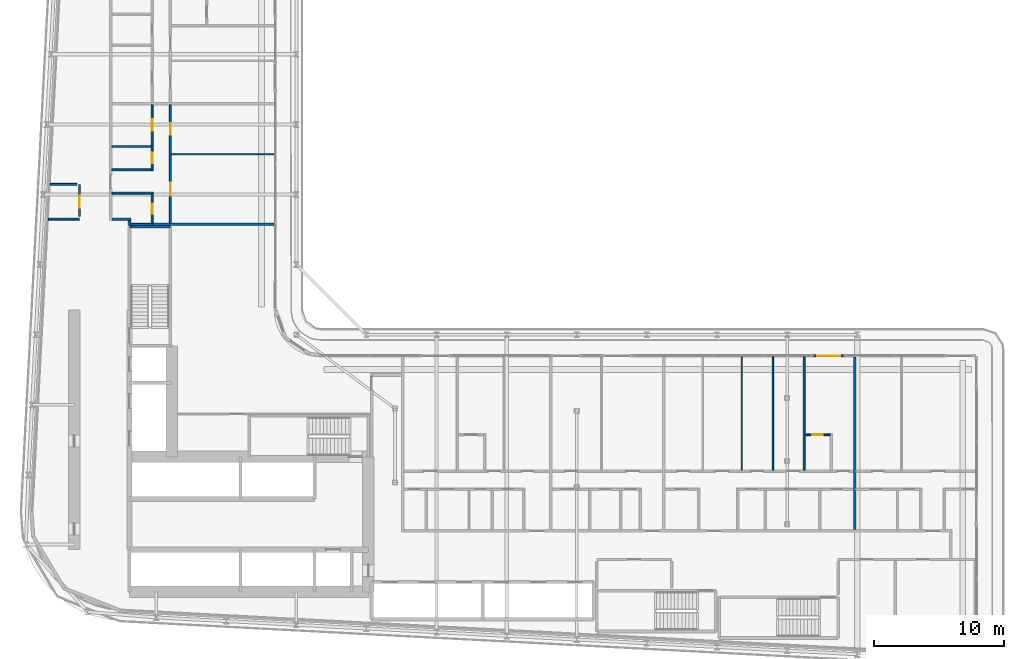
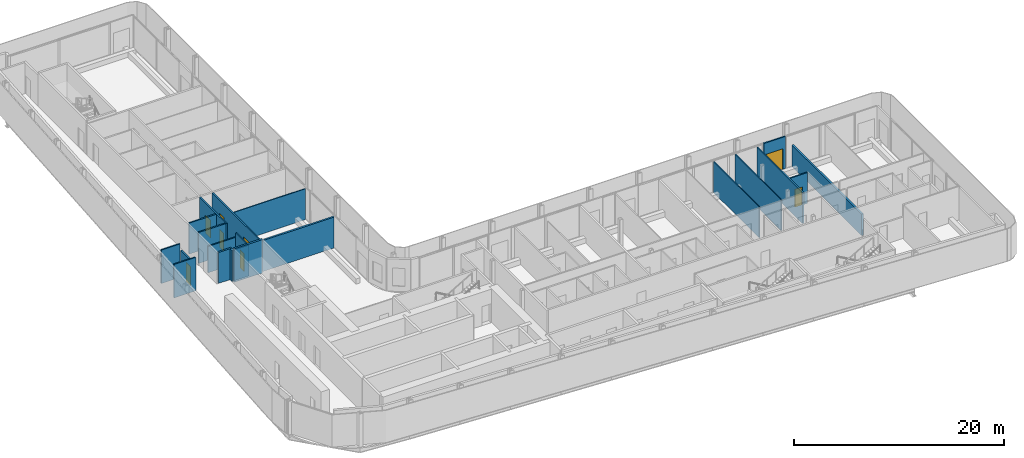
# One storey, part 15 of 25: 21 walls, 8 doors, 8 openings.
"""IFC4 building model written with IfcOpenShell, lengths in metres."""

from ifc_helpers import new_model, si_unit, direction, frame, frame_2d, origin, place, context, subcontext, project, spatial, rectangle, extrude, source, transform, mapped, material, layer, layer_set, type_object, element, fill, save


model = new_model("IFC4")

# Units and contexts
model_context = context("Model", 3, precision=1e-05, world=origin(), true_north=direction((0.0, 1.0)))
body_context = subcontext(model_context, "Body", "Model", "MODEL_VIEW")
ifc_project = project(units=[si_unit("LENGTHUNIT", "METRE"), si_unit("AREAUNIT", "SQUARE_METRE"), si_unit("VOLUMEUNIT", "CUBIC_METRE"), si_unit("PLANEANGLEUNIT", "RADIAN"), si_unit("MASSUNIT", "GRAM", prefix="KILO")], contexts=[model_context])

# Site, building, storey
site_placement = place(None, origin())
site = spatial("IfcSite", under=ifc_project, at=site_placement, CompositionType="ELEMENT")
building_placement = place(site_placement, origin())
building = spatial("IfcBuilding", under=site, at=building_placement, Name="Kheshtan School and Residences Tower", CompositionType="ELEMENT")
storey_placement = place(building_placement, frame((0.0, 0.0, 113.60009765625)))
storey = spatial("IfcBuildingStorey", under=building, at=storey_placement, Name="L26", CompositionType="ELEMENT", Elevation=113.60009765625)

# Walls
ifc_material_1 = material(Name="Gypsum board on steel studs with fire boards", Category="steel")
ifc_layer_1 = layer(ifc_material_1, 0.199951171875)
ifc_layer_set_1 = layer_set([ifc_layer_1], Name="Corridor wall 200")
wall_type_1 = type_object("IfcWallType", Name="Corridor wall 200", PredefinedType="PARTITIONING", material=ifc_layer_set_1)
wall_1_placement = place(storey_placement, frame((33.39990234375, 54.5, 0.0), z_axis=(0.0, 0.0, 1.0), x_axis=(1.0, 0.0, 0.0)))
element("IfcWall", 1, at=wall_1_placement, inside=storey, type_object=wall_type_1, Name="Partition L26-005", PredefinedType="PARTITIONING", context=body_context, shape_type="SweptSolid", body=[
    extrude(rectangle(XDim=1.4501953125, YDim=0.199951171875, at=frame_2d((0.72509765625, 0.0))), origin(), (0.0, 0.0, 1.0), 3.599853515625),
])
wall_2_placement = place(storey_placement, frame((34.75, 54.02490234375, 0.0), z_axis=(0.0, 0.0, 1.0), x_axis=(0.0, 1.0, 0.0)))
element("IfcWall", 2, at=wall_2_placement, inside=storey, type_object=wall_type_1, Name="Partition L26-014", PredefinedType="PARTITIONING", context=body_context, shape_type="SweptSolid", body=[
    extrude(rectangle(XDim=0.375, YDim=0.199951171875, at=frame_2d((0.1875, 0.0))), origin(), (0.0, 0.0, 1.0), 3.599853515625),
])

# Wall, opening, door
ifc_material_2 = material(Name="Aluminium frame wall with insulated infill", Category="aluminium")
ifc_layer_2 = layer(ifc_material_2, 0.14990234375)
ifc_layer_set_2 = layer_set([ifc_layer_2], Name="Glazing frame wall 150")
wall_type_2 = type_object("IfcWallType", Name="Glazing frame wall 150", PredefinedType="SOLIDWALL", material=ifc_layer_set_2)
wall_3_placement = place(storey_placement, frame((87.406005859375, 43.97509765625, 0.0), z_axis=(0.0, 0.0, 1.0), x_axis=(1.0, 0.0, 0.0)))
wall_3 = element("IfcWall", 3, at=wall_3_placement, inside=storey, type_object=wall_type_2, Name="Balcony door wall L26 8.4", PredefinedType="SOLIDWALL", context=body_context, shape_type="SweptSolid", body=[
    extrude(rectangle(XDim=2.39990234375, YDim=0.14990234375, at=frame_2d((1.199951171875, 0.0))), origin(), (0.0, 0.0, 1.0), 3.75),
])
opening_1_placement = place(wall_3_placement, frame((0.300048828125, 0.0, 0.0)))
opening_1 = element("IfcOpeningElement", 4, at=opening_1_placement, cuts=wall_3, Name="Opening BD", PredefinedType="OPENING", context=body_context, shape_type="SweptSolid", body=[
    extrude(rectangle(XDim=1.800048828125, YDim=2.39990234375, at=frame_2d((0.89990234375, 1.199951171875))), frame((0.0, 0.0849609375, 0.0), z_axis=(0.0, -1.0, 0.0), x_axis=(1.0, 0.0, 0.0)), (0.0, 0.0, 1.0), 0.169921875),
])
ifc_material_3 = material(Name="Clear low-e glass in thermally broken aluminium frame", Category="aluminium")
door_type_1 = type_object("IfcDoorType", Name="Balcony sliding door", OperationType="SLIDING_TO_LEFT", PredefinedType="DOOR", material=ifc_material_3)
shared_shape_1 = source(origin(), body_context, "Body", "SweptSolid", [
    extrude(rectangle(XDim=1.800048828125, YDim=2.39990234375, at=frame_2d((0.89990234375, 1.199951171875))), frame((0.0, 0.02490234375, 0.0), z_axis=(0.0, -1.0, 0.0), x_axis=(1.0, 0.0, 0.0)), (0.0, 0.0, 1.0), 0.050048828125),
])
door_1_placement = place(opening_1_placement, origin())
door_1 = element("IfcDoor", 5, at=door_1_placement, inside=storey, type_object=door_type_1, Name="Balcony door L26 8.4", OperationType="SLIDING_TO_LEFT", OverallHeight=2.39990234375, OverallWidth=1.800048828125, PredefinedType="DOOR", context=body_context, shape_type="MappedRepresentation", body=[
    mapped(shared_shape_1, transform((0.0, 0.0, 0.0), x_axis=(1.0, 0.0, 0.0), y_axis=(0.0, 1.0, 0.0), z_axis=(0.0, 0.0, 1.0), scale=1.0)),
])
fill(opening_1, door_1)

# Walls
ifc_material_4 = material(Name="Gypsum board on steel studs", Category="steel")
ifc_layer_3 = layer(ifc_material_4, 0.10009765625)
ifc_layer_set_3 = layer_set([ifc_layer_3], Name="Gypsum partition 100")
wall_type_3 = type_object("IfcWallType", Name="Gypsum partition 100", PredefinedType="PARTITIONING", material=ifc_layer_set_3)
wall_4_placement = place(storey_placement, frame((37.97509765625, 59.5, 0.0), z_axis=(0.0, 0.0, 1.0), x_axis=(1.0, 0.0, 0.0)))
element("IfcWall", 6, at=wall_4_placement, inside=storey, type_object=wall_type_3, Name="Partition L26-022", PredefinedType="PARTITIONING", context=body_context, shape_type="SweptSolid", body=[
    extrude(rectangle(XDim=7.9248046875, YDim=0.10009765625, at=frame_2d((3.96240234375, 0.0))), origin(), (0.0, 0.0, 1.0), 3.599853515625),
])
for number, where, z_axis, x_axis, name in (
    (7, (81.89990234375, 35.175048828125, 0.0), (0.0, 0.0, 1.0), (0.0, 1.0, 0.0), "Partition L26-058"),
    (8, (84.300048828125, 35.175048828125, 0.0), (0.0, 0.0, 1.0), (0.0, 1.0, 0.0), "Partition L26-060"),
):
    element("IfcWall", number, at=place(storey_placement, frame(where, z_axis=z_axis, x_axis=x_axis)), inside=storey, type_object=wall_type_3, Name=name, PredefinedType="PARTITIONING", context=body_context, shape_type="SweptSolid", body=[
        extrude(rectangle(XDim=8.724853515625, YDim=0.10009765625, at=frame_2d((4.3623046875, 0.0))), origin(), (0.0, 0.0, 1.0), 3.599853515625),
    ])
ifc_material_5 = material(Name="Fire-board shaft wall system")
ifc_layer_4 = layer(ifc_material_5, 0.14990234375)
ifc_layer_set_4 = layer_set([ifc_layer_4], Name="Service room wall 150")
wall_type_4 = type_object("IfcWallType", Name="Service room wall 150", PredefinedType="PARTITIONING", material=ifc_layer_set_4)
wall_5_placement = place(storey_placement, frame((28.508056640625, 54.5, 0.0), z_axis=(0.0, 0.0, 1.0), x_axis=(1.0, 0.0, 0.0)))
element("IfcWall", 9, at=wall_5_placement, inside=storey, type_object=wall_type_4, Name="Service room wall", PredefinedType="PARTITIONING", context=body_context, shape_type="SweptSolid", body=[
    extrude(rectangle(XDim=2.391845703125, YDim=0.14990234375, at=frame_2d((1.19580078125, 0.0))), origin(), (0.0, 0.0, 1.0), 3.89990234375),
])

# Wall, opening, door
wall_6_placement = place(storey_placement, frame((30.89990234375, 54.695068359375, 0.0), z_axis=(0.0, 0.0, 1.0), x_axis=(0.0, 1.0, 0.0)))
wall_6 = element("IfcWall", 10, at=wall_6_placement, inside=storey, type_object=wall_type_4, Name="Service room wall", PredefinedType="PARTITIONING", context=body_context, shape_type="SweptSolid", body=[
    extrude(rectangle(XDim=2.48681640625, YDim=0.14990234375, at=frame_2d((1.243408203125, 0.0))), origin(), (0.0, 0.0, 1.0), 3.072021484375),
])
opening_2_placement = place(wall_6_placement, frame((0.696044921875, 0.0, 0.0)))
opening_2 = element("IfcOpeningElement", 11, at=opening_2_placement, cuts=wall_6, Name="Opening SR90", PredefinedType="OPENING", context=body_context, shape_type="SweptSolid", body=[
    extrude(rectangle(XDim=0.89990234375, YDim=2.199951171875, at=frame_2d((0.449951171875, 1.10009765625))), frame((0.0, 0.0849609375, 0.0), z_axis=(0.0, -1.0, 0.0), x_axis=(1.0, 0.0, 0.0)), (0.0, 0.0, 1.0), 0.169921875),
])
ifc_material_6 = material(Name="Steel door leaf, galvanised", Category="steel")
door_type_2 = type_object("IfcDoorType", Name="Service room door 900 steel 90 min", OperationType="SINGLE_SWING_LEFT", PredefinedType="DOOR", material=ifc_material_6)
shared_shape_2 = source(origin(), body_context, "Body", "SweptSolid", [
    extrude(rectangle(XDim=0.89990234375, YDim=2.199951171875, at=frame_2d((0.449951171875, 1.10009765625))), frame((0.0, 0.02490234375, 0.0), z_axis=(0.0, -1.0, 0.0), x_axis=(1.0, 0.0, 0.0)), (0.0, 0.0, 1.0), 0.050048828125),
])
door_2_placement = place(opening_2_placement, origin())
door_2 = element("IfcDoor", 12, at=door_2_placement, inside=storey, type_object=door_type_2, Name="Service room door", OperationType="SINGLE_SWING_LEFT", OverallHeight=2.199951171875, OverallWidth=0.89990234375, PredefinedType="DOOR", context=body_context, shape_type="MappedRepresentation", body=[
    mapped(shared_shape_2, transform((0.0, 0.0, 0.0), x_axis=(1.0, 0.0, 0.0), y_axis=(0.0, 1.0, 0.0), z_axis=(0.0, 0.0, 1.0), scale=1.0)),
])
fill(opening_2, door_2)

# Walls
wall_7_placement = place(storey_placement, frame((28.64990234375, 57.181884765625, 0.0), z_axis=(0.0, 0.0, 1.0), x_axis=(1.0, 0.0, 0.0)))
element("IfcWall", 13, at=wall_7_placement, inside=storey, type_object=wall_type_4, Name="Service room wall", PredefinedType="PARTITIONING", context=body_context, shape_type="SweptSolid", body=[
    extrude(rectangle(XDim=2.05517578125, YDim=0.14990234375, at=frame_2d((1.027587890625, 0.0))), origin(), (0.0, 0.0, 1.0), 3.89990234375),
])
ifc_material_7 = material(Name="Concrete C40/50", Category="concrete")
ifc_layer_5 = layer(ifc_material_7, 0.199951171875)
ifc_layer_set_5 = layer_set([ifc_layer_5], Name="Stair enclosure wall 200 Concrete C40/50")
wall_type_5 = type_object("IfcWallType", Name="Stair enclosure wall 200 Concrete C40/50", PredefinedType="SHEAR", material=ifc_layer_set_5)
wall_8_placement = place(storey_placement, frame((34.75, 53.909912109375, 0.0), z_axis=(0.0, 0.0, 1.0), x_axis=(1.0, 0.0, 0.0)))
element("IfcWall", 14, at=wall_8_placement, inside=storey, type_object=wall_type_5, Name="Stair enclosure wall ST2", PredefinedType="SHEAR", context=body_context, shape_type="SweptSolid", body=[
    extrude(rectangle(XDim=3.14990234375, YDim=0.199951171875, at=frame_2d((1.574951171875, 0.0))), origin(), (0.0, 0.0, 1.0), 3.89990234375),
])
ifc_material_8 = material(Name="Twin gypsum board on steel studs with mineral wool", Category="steel")
ifc_layer_6 = layer(ifc_material_8, 0.199951171875)
ifc_layer_set_6 = layer_set([ifc_layer_6], Name="Unit demising wall 200")
wall_type_6 = type_object("IfcWallType", Name="Unit demising wall 200", PredefinedType="PARTITIONING", material=ifc_layer_set_6)
wall_9_placement = place(storey_placement, frame((36.5, 54.10009765625, 0.0), z_axis=(0.0, 0.0, 1.0), x_axis=(1.0, 0.0, 0.0)))
element("IfcWall", 15, at=wall_9_placement, inside=storey, type_object=wall_type_6, Name="Partition L26-016", PredefinedType="PARTITIONING", context=body_context, shape_type="SweptSolid", body=[
    extrude(rectangle(XDim=9.39990234375, YDim=0.199951171875, at=frame_2d((4.699951171875, 0.0))), origin(), (0.0, 0.0, 1.0), 3.599853515625),
])
wall_10_placement = place(storey_placement, frame((90.60009765625, 30.60009765625, 0.0), z_axis=(0.0, 0.0, 1.0), x_axis=(0.0, 1.0, 0.0)))
element("IfcWall", 16, at=wall_10_placement, inside=storey, type_object=wall_type_6, Name="Partition L26-065", PredefinedType="PARTITIONING", context=body_context, shape_type="SweptSolid", body=[
    extrude(rectangle(XDim=13.2998046875, YDim=0.199951171875, at=frame_2d((6.64990234375, 0.0))), origin(), (0.0, 0.0, 1.0), 2.5),
])
ifc_material_9 = material(Name="Moisture-resistant gypsum board on steel studs", Category="steel")
ifc_layer_7 = layer(ifc_material_9, 0.14990234375)
ifc_layer_set_7 = layer_set([ifc_layer_7], Name="Wet-room partition 150")
wall_type_7 = type_object("IfcWallType", Name="Wet-room partition 150", PredefinedType="PARTITIONING", material=ifc_layer_set_7)
wall_11_placement = place(storey_placement, frame((33.39990234375, 56.5, 0.0), z_axis=(0.0, 0.0, 1.0), x_axis=(1.0, 0.0, 0.0)))
element("IfcWall", 17, at=wall_11_placement, inside=storey, type_object=wall_type_7, Name="Partition L26-006", PredefinedType="PARTITIONING", context=body_context, shape_type="SweptSolid", body=[
    extrude(rectangle(XDim=3.175048828125, YDim=0.14990234375, at=frame_2d((1.58740234375, 0.0))), origin(), (0.0, 0.0, 1.0), 3.072021484375),
])
for number, where, z_axis, x_axis, name in (
    (18, (33.39990234375, 58.300048828125, 0.0), (0.0, 0.0, 1.0), (1.0, 0.0, 0.0), "Partition L26-007"),
    (19, (33.39990234375, 60.10009765625, 0.0), (0.0, 0.0, 1.0), (1.0, 0.0, 0.0), "Partition L26-008"),
):
    element("IfcWall", number, at=place(storey_placement, frame(where, z_axis=z_axis, x_axis=x_axis)), inside=storey, type_object=wall_type_7, Name=name, PredefinedType="PARTITIONING", context=body_context, shape_type="SweptSolid", body=[
        extrude(rectangle(XDim=3.025146484375, YDim=0.14990234375, at=frame_2d((1.5126953125, 0.0))), origin(), (0.0, 0.0, 1.0), 3.599853515625),
    ])
wall_12_placement = place(storey_placement, frame((34.85009765625, 54.10009765625, 0.0), z_axis=(0.0, 0.0, 1.0), x_axis=(1.0, 0.0, 0.0)))
element("IfcWall", 20, at=wall_12_placement, inside=storey, type_object=wall_type_7, Name="Partition L26-015", PredefinedType="PARTITIONING", context=body_context, shape_type="SweptSolid", body=[
    extrude(rectangle(XDim=1.64990234375, YDim=0.14990234375, at=frame_2d((0.824951171875, 0.0))), origin(), (0.0, 0.0, 1.0), 3.599853515625),
])

# Wall, opening, door
wall_13_placement = place(storey_placement, frame((36.5, 54.199951171875, 0.0), z_axis=(0.0, 0.0, 1.0), x_axis=(0.0, 1.0, 0.0)))
wall_13 = element("IfcWall", 21, at=wall_13_placement, inside=storey, type_object=wall_type_7, Name="Partition L26-017", PredefinedType="PARTITIONING", context=body_context, shape_type="SweptSolid", body=[
    extrude(rectangle(XDim=2.22509765625, YDim=0.14990234375, at=frame_2d((1.112548828125, 0.0))), origin(), (0.0, 0.0, 1.0), 3.599853515625),
])
opening_3_placement = place(wall_13_placement, frame((0.699951171875, 0.0, 0.0)))
opening_3 = element("IfcOpeningElement", 22, at=opening_3_placement, cuts=wall_13, Name="Opening D25-033", PredefinedType="OPENING", context=body_context, shape_type="SweptSolid", body=[
    extrude(rectangle(XDim=0.800048828125, YDim=2.10009765625, at=frame_2d((0.39990234375, 1.050048828125))), frame((0.0, 0.0849609375, 0.0), z_axis=(0.0, -1.0, 0.0), x_axis=(1.0, 0.0, 0.0)), (0.0, 0.0, 1.0), 0.169921875),
])
ifc_material_10 = material(Name="Veneered timber door leaf", Category="wood")
door_type_3 = type_object("IfcDoorType", Name="Door 800 x 2100", OperationType="SINGLE_SWING_LEFT", PredefinedType="DOOR", material=ifc_material_10)
shared_shape_3 = source(origin(), body_context, "Body", "SweptSolid", [
    extrude(rectangle(XDim=0.800048828125, YDim=2.10009765625, at=frame_2d((0.39990234375, 1.050048828125))), frame((0.0, 0.02490234375, 0.0), z_axis=(0.0, -1.0, 0.0), x_axis=(1.0, 0.0, 0.0)), (0.0, 0.0, 1.0), 0.050048828125),
])
door_3_placement = place(opening_3_placement, origin())
door_3 = element("IfcDoor", 23, at=door_3_placement, inside=storey, type_object=door_type_3, Name="Door D25-033", OperationType="SINGLE_SWING_LEFT", OverallHeight=2.10009765625, OverallWidth=0.800048828125, PredefinedType="DOOR", context=body_context, shape_type="MappedRepresentation", body=[
    mapped(shared_shape_3, transform((0.0, 0.0, 0.0), x_axis=(1.0, 0.0, 0.0), y_axis=(0.0, 1.0, 0.0), z_axis=(0.0, 0.0, 1.0), scale=1.0)),
])
fill(opening_3, door_3)

# Wall, openings, doors
wall_14_placement = place(storey_placement, frame((36.5, 58.22509765625, 0.0), z_axis=(0.0, 0.0, 1.0), x_axis=(0.0, 1.0, 0.0)))
wall_14 = element("IfcWall", 24, at=wall_14_placement, inside=storey, type_object=wall_type_7, Name="Partition L26-018", PredefinedType="PARTITIONING", context=body_context, shape_type="SweptSolid", body=[
    extrude(rectangle(XDim=5.074951171875, YDim=0.14990234375, at=frame_2d((2.53759765625, 0.0))), origin(), (0.0, 0.0, 1.0), 3.599853515625),
])
opening_4_placement = place(wall_14_placement, frame((3.074951171875, 0.0, 0.0)))
opening_4 = element("IfcOpeningElement", 25, at=opening_4_placement, cuts=wall_14, Name="Opening D25-036", PredefinedType="OPENING", context=body_context, shape_type="SweptSolid", body=[
    extrude(rectangle(XDim=0.89990234375, YDim=2.10009765625, at=frame_2d((0.449951171875, 1.050048828125))), frame((0.0, 0.0849609375, 0.0), z_axis=(0.0, -1.0, 0.0), x_axis=(1.0, 0.0, 0.0)), (0.0, 0.0, 1.0), 0.169921875),
])
opening_5_placement = place(wall_14_placement, frame((0.574951171875, 0.0, 0.0)))
opening_5 = element("IfcOpeningElement", 26, at=opening_5_placement, cuts=wall_14, Name="Opening D25-038", PredefinedType="OPENING", context=body_context, shape_type="SweptSolid", body=[
    extrude(rectangle(XDim=0.800048828125, YDim=2.10009765625, at=frame_2d((0.39990234375, 1.050048828125))), frame((0.0, 0.0849609375, 0.0), z_axis=(0.0, -1.0, 0.0), x_axis=(1.0, 0.0, 0.0)), (0.0, 0.0, 1.0), 0.169921875),
])
door_4_placement = place(opening_5_placement, origin())
door_4 = element("IfcDoor", 27, at=door_4_placement, inside=storey, type_object=door_type_3, Name="Door D25-038", OperationType="SINGLE_SWING_RIGHT", OverallHeight=2.10009765625, OverallWidth=0.800048828125, PredefinedType="DOOR", context=body_context, shape_type="MappedRepresentation", body=[
    mapped(shared_shape_3, transform((0.0, 0.0, 0.0), x_axis=(1.0, 0.0, 0.0), y_axis=(0.0, 1.0, 0.0), z_axis=(0.0, 0.0, 1.0), scale=1.0)),
])
fill(opening_5, door_4)
door_type_4 = type_object("IfcDoorType", Name="Door 900 x 2100", OperationType="SINGLE_SWING_LEFT", PredefinedType="DOOR", material=ifc_material_10)
shared_shape_4 = source(origin(), body_context, "Body", "SweptSolid", [
    extrude(rectangle(XDim=0.89990234375, YDim=2.10009765625, at=frame_2d((0.449951171875, 1.050048828125))), frame((0.0, 0.02490234375, 0.0), z_axis=(0.0, -1.0, 0.0), x_axis=(1.0, 0.0, 0.0)), (0.0, 0.0, 1.0), 0.050048828125),
])
door_5_placement = place(opening_4_placement, origin())
door_5 = element("IfcDoor", 28, at=door_5_placement, inside=storey, type_object=door_type_4, Name="Door D25-036", OperationType="SINGLE_SWING_LEFT", OverallHeight=2.10009765625, OverallWidth=0.89990234375, PredefinedType="DOOR", context=body_context, shape_type="MappedRepresentation", body=[
    mapped(shared_shape_4, transform((0.0, 0.0, 0.0), x_axis=(1.0, 0.0, 0.0), y_axis=(0.0, 1.0, 0.0), z_axis=(0.0, 0.0, 1.0), scale=1.0)),
])
fill(opening_4, door_5)

wall_15_placement = place(storey_placement, frame((37.89990234375, 54.199951171875, 0.0), z_axis=(0.0, 0.0, 1.0), x_axis=(0.0, 1.0, 0.0)))
wall_15 = element("IfcWall", 29, at=wall_15_placement, inside=storey, type_object=wall_type_7, Name="Partition L26-020", PredefinedType="PARTITIONING", context=body_context, shape_type="SweptSolid", body=[
    extrude(rectangle(XDim=9.10009765625, YDim=0.14990234375, at=frame_2d((4.550048828125, 0.0))), origin(), (0.0, 0.0, 1.0), 3.599853515625),
])
opening_6_placement = place(wall_15_placement, frame((6.800048828125, 0.0, 0.0)))
opening_6 = element("IfcOpeningElement", 30, at=opening_6_placement, cuts=wall_15, Name="Opening D25-034", PredefinedType="OPENING", context=body_context, shape_type="SweptSolid", body=[
    extrude(rectangle(XDim=0.89990234375, YDim=2.10009765625, at=frame_2d((0.449951171875, 1.050048828125))), frame((0.0, 0.0849609375, 0.0), z_axis=(0.0, -1.0, 0.0), x_axis=(1.0, 0.0, 0.0)), (0.0, 0.0, 1.0), 0.169921875),
])
opening_7_placement = place(wall_15_placement, frame((2.10009765625, 0.0, 0.0)))
opening_7 = element("IfcOpeningElement", 31, at=opening_7_placement, cuts=wall_15, Name="Opening D25-037", PredefinedType="OPENING", context=body_context, shape_type="SweptSolid", body=[
    extrude(rectangle(XDim=1.0, YDim=2.10009765625, at=frame_2d((0.5, 1.050048828125))), frame((0.0, 0.0849609375, 0.0), z_axis=(0.0, -1.0, 0.0), x_axis=(1.0, 0.0, 0.0)), (0.0, 0.0, 1.0), 0.169921875),
])
door_type_5 = type_object("IfcDoorType", Name="Door 1000 x 2100", OperationType="SINGLE_SWING_LEFT", PredefinedType="DOOR", material=ifc_material_10)
shared_shape_5 = source(origin(), body_context, "Body", "SweptSolid", [
    extrude(rectangle(XDim=1.0, YDim=2.10009765625, at=frame_2d((0.5, 1.050048828125))), frame((0.0, 0.02490234375, 0.0), z_axis=(0.0, -1.0, 0.0), x_axis=(1.0, 0.0, 0.0)), (0.0, 0.0, 1.0), 0.050048828125),
])
door_6_placement = place(opening_7_placement, origin())
door_6 = element("IfcDoor", 32, at=door_6_placement, inside=storey, type_object=door_type_5, Name="Door D25-037", OperationType="SINGLE_SWING_LEFT", OverallHeight=2.10009765625, OverallWidth=1.0, PredefinedType="DOOR", context=body_context, shape_type="MappedRepresentation", body=[
    mapped(shared_shape_5, transform((0.0, 0.0, 0.0), x_axis=(1.0, 0.0, 0.0), y_axis=(0.0, 1.0, 0.0), z_axis=(0.0, 0.0, 1.0), scale=1.0)),
])
fill(opening_7, door_6)
door_7_placement = place(opening_6_placement, origin())
door_7 = element("IfcDoor", 33, at=door_7_placement, inside=storey, type_object=door_type_4, Name="Door D25-034", OperationType="SINGLE_SWING_RIGHT", OverallHeight=2.10009765625, OverallWidth=0.89990234375, PredefinedType="DOOR", context=body_context, shape_type="MappedRepresentation", body=[
    mapped(shared_shape_4, transform((0.0, 0.0, 0.0), x_axis=(1.0, 0.0, 0.0), y_axis=(0.0, 1.0, 0.0), z_axis=(0.0, 0.0, 1.0), scale=1.0)),
])
fill(opening_6, door_7)

# Wall
wall_16_placement = place(storey_placement, frame((86.699951171875, 35.175048828125, 0.0), z_axis=(0.0, 0.0, 1.0), x_axis=(0.0, 1.0, 0.0)))
element("IfcWall", 34, at=wall_16_placement, inside=storey, type_object=wall_type_7, Name="Partition L26-061", PredefinedType="PARTITIONING", context=body_context, shape_type="SweptSolid", body=[
    extrude(rectangle(XDim=8.724853515625, YDim=0.14990234375, at=frame_2d((4.3623046875, 0.0))), origin(), (0.0, 0.0, 1.0), 3.599853515625),
])

# Wall, opening, door
wall_17_placement = place(storey_placement, frame((86.77490234375, 37.89990234375, 0.0), z_axis=(0.0, 0.0, 1.0), x_axis=(1.0, 0.0, 0.0)))
wall_17 = element("IfcWall", 35, at=wall_17_placement, inside=storey, type_object=wall_type_7, Name="Partition L26-062", PredefinedType="PARTITIONING", context=body_context, shape_type="SweptSolid", body=[
    extrude(rectangle(XDim=1.9501953125, YDim=0.14990234375, at=frame_2d((0.97509765625, 0.0))), origin(), (0.0, 0.0, 1.0), 3.599853515625),
])
opening_8_placement = place(wall_17_placement, frame((0.574951171875, 0.0, 0.0)))
opening_8 = element("IfcOpeningElement", 36, at=opening_8_placement, cuts=wall_17, Name="Opening D25-020", PredefinedType="OPENING", context=body_context, shape_type="SweptSolid", body=[
    extrude(rectangle(XDim=0.800048828125, YDim=2.10009765625, at=frame_2d((0.39990234375, 1.050048828125))), frame((0.0, 0.0849609375, 0.0), z_axis=(0.0, -1.0, 0.0), x_axis=(1.0, 0.0, 0.0)), (0.0, 0.0, 1.0), 0.169921875),
])
door_8_placement = place(opening_8_placement, origin())
door_8 = element("IfcDoor", 37, at=door_8_placement, inside=storey, type_object=door_type_3, Name="Door D25-020", OperationType="SINGLE_SWING_LEFT", OverallHeight=2.10009765625, OverallWidth=0.800048828125, PredefinedType="DOOR", context=body_context, shape_type="MappedRepresentation", body=[
    mapped(shared_shape_3, transform((0.0, 0.0, 0.0), x_axis=(1.0, 0.0, 0.0), y_axis=(0.0, 1.0, 0.0), z_axis=(0.0, 0.0, 1.0), scale=1.0)),
])
fill(opening_8, door_8)

save(model, "model.ifc")
